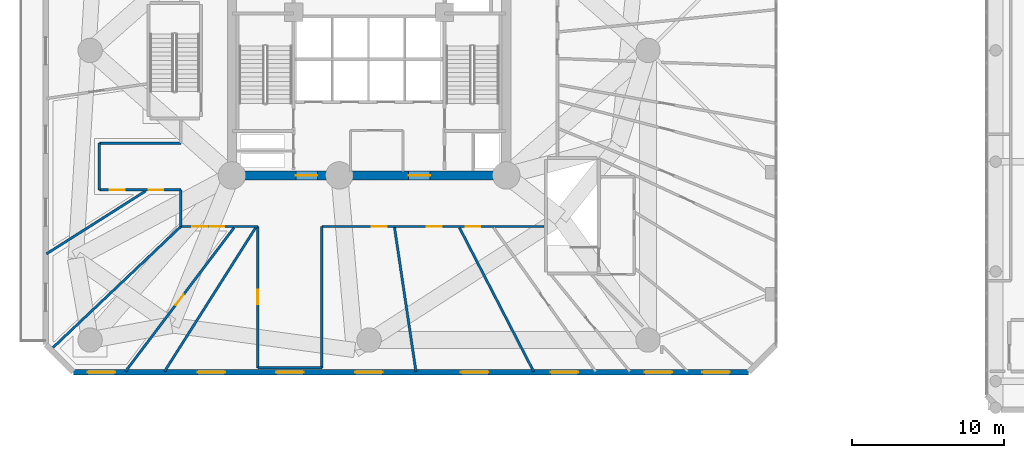
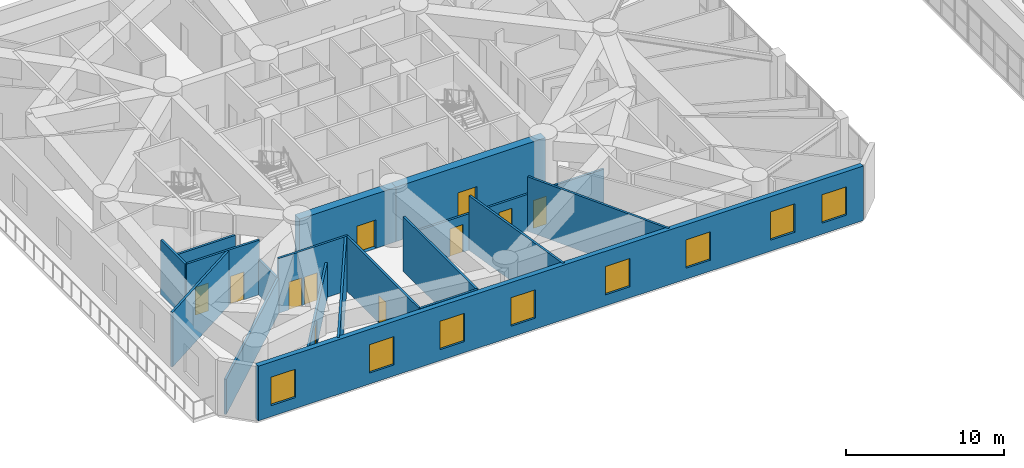
# One storey, part 13 of 22: 18 walls, 11 doors, 8 windows, 19 openings.
"""IFC4 building model written with IfcOpenShell, lengths in metres."""

from ifc_helpers import new_model, si_unit, direction, frame, frame_2d, origin, origin_with_axes, place, context, subcontext, project, spatial, rectangle, extrude, source, transform, mapped, material, layer, layer_set, type_object, element, fill, save


model = new_model("IFC4")

# Units and contexts
model_context = context("Model", 3, precision=1e-05, world=origin(), true_north=direction((0.0, 1.0)))
body_context = subcontext(model_context, "Body", "Model", "MODEL_VIEW")
ifc_project = project(units=[si_unit("LENGTHUNIT", "METRE"), si_unit("AREAUNIT", "SQUARE_METRE"), si_unit("VOLUMEUNIT", "CUBIC_METRE"), si_unit("PLANEANGLEUNIT", "RADIAN"), si_unit("MASSUNIT", "GRAM", prefix="KILO")], contexts=[model_context])

# Site, building, storey
site_placement = place(None, origin())
site = spatial("IfcSite", under=ifc_project, at=site_placement, CompositionType="ELEMENT")
building_placement = place(site_placement, origin())
building = spatial("IfcBuilding", under=site, at=building_placement, Name="Karkom Vertical University and Central Library", CompositionType="ELEMENT")
storey_placement = place(building_placement, frame((0.0, 0.0, 18.0)))
storey = spatial("IfcBuildingStorey", under=building, at=storey_placement, Name="L04", CompositionType="ELEMENT", Elevation=18.0)

# Wall, openings, windows
ifc_material_1 = material(Name="Brick masonry 360mm insulated cavity", Category="masonry")
ifc_layer_1 = layer(ifc_material_1, 0.360107421875)
ifc_layer_set_1 = layer_set([ifc_layer_1], Name="Brick masonry 360mm insulated cavity")
wall_type_1 = type_object("IfcWallType", Name="ENV-WL-BRK-360", PredefinedType="SOLIDWALL", material=ifc_layer_set_1)
wall_1_placement = place(storey_placement, frame((9.10009765625, 5.39990234375, 0.0), z_axis=(0.0, 0.0, 1.0), x_axis=(1.0, 0.0, 0.0)))
wall_1 = element("IfcWall", 1, at=wall_1_placement, inside=storey, type_object=wall_type_1, Name="Level 04 POD Terracotta Brick Facade Wall 01", PredefinedType="SOLIDWALL", context=body_context, shape_type="SweptSolid", body=[
    extrude(rectangle(XDim=44.2998046875, YDim=0.360107421875, at=frame_2d((22.14990234375, 0.0))), origin(), (0.0, 0.0, 1.0), 4.22509765625),
])
opening_1_placement = place(wall_1_placement, frame((0.934326171875, 0.0, 0.85009765625)))
opening_1 = element("IfcOpeningElement", 2, at=opening_1_placement, cuts=wall_1, Name="Opening WN-01", PredefinedType="OPENING", context=body_context, shape_type="SweptSolid", body=[
    extrude(rectangle(XDim=1.800048828125, YDim=2.199951171875, at=frame_2d((0.89990234375, 1.10009765625))), frame((0.0, 0.18994140625, 0.0), z_axis=(0.0, -1.0, 0.0), x_axis=(1.0, 0.0, 0.0)), (0.0, 0.0, 1.0), 0.380126953125),
])
opening_2_placement = place(wall_1_placement, frame((8.148193359375, 0.0, 0.85009765625)))
opening_2 = element("IfcOpeningElement", 3, at=opening_2_placement, cuts=wall_1, Name="Opening WN-01", PredefinedType="OPENING", context=body_context, shape_type="SweptSolid", body=[
    extrude(rectangle(XDim=1.800048828125, YDim=2.199951171875, at=frame_2d((0.89990234375, 1.10009765625))), frame((0.0, 0.18994140625, 0.0), z_axis=(0.0, -1.0, 0.0), x_axis=(1.0, 0.0, 0.0)), (0.0, 0.0, 1.0), 0.380126953125),
])
opening_3_placement = place(wall_1_placement, frame((13.300048828125, 0.0, 0.85009765625)))
opening_3 = element("IfcOpeningElement", 4, at=opening_3_placement, cuts=wall_1, Name="Opening WN-01", PredefinedType="OPENING", context=body_context, shape_type="SweptSolid", body=[
    extrude(rectangle(XDim=1.800048828125, YDim=2.199951171875, at=frame_2d((0.89990234375, 1.10009765625))), frame((0.0, 0.18994140625, 0.0), z_axis=(0.0, -1.0, 0.0), x_axis=(1.0, 0.0, 0.0)), (0.0, 0.0, 1.0), 0.380126953125),
])
opening_4_placement = place(wall_1_placement, frame((18.48583984375, 0.0, 0.85009765625)))
opening_4 = element("IfcOpeningElement", 5, at=opening_4_placement, cuts=wall_1, Name="Opening WN-01", PredefinedType="OPENING", context=body_context, shape_type="SweptSolid", body=[
    extrude(rectangle(XDim=1.800048828125, YDim=2.199951171875, at=frame_2d((0.89990234375, 1.10009765625))), frame((0.0, 0.18994140625, 0.0), z_axis=(0.0, -1.0, 0.0), x_axis=(1.0, 0.0, 0.0)), (0.0, 0.0, 1.0), 0.380126953125),
])
opening_5_placement = place(wall_1_placement, frame((25.426025390625, 0.0, 0.85009765625)))
opening_5 = element("IfcOpeningElement", 6, at=opening_5_placement, cuts=wall_1, Name="Opening WN-01", PredefinedType="OPENING", context=body_context, shape_type="SweptSolid", body=[
    extrude(rectangle(XDim=1.800048828125, YDim=2.199951171875, at=frame_2d((0.89990234375, 1.10009765625))), frame((0.0, 0.18994140625, 0.0), z_axis=(0.0, -1.0, 0.0), x_axis=(1.0, 0.0, 0.0)), (0.0, 0.0, 1.0), 0.380126953125),
])
opening_6_placement = place(wall_1_placement, frame((31.31103515625, 0.0, 0.85009765625)))
opening_6 = element("IfcOpeningElement", 7, at=opening_6_placement, cuts=wall_1, Name="Opening WN-01", PredefinedType="OPENING", context=body_context, shape_type="SweptSolid", body=[
    extrude(rectangle(XDim=1.800048828125, YDim=2.199951171875, at=frame_2d((0.89990234375, 1.10009765625))), frame((0.0, 0.18994140625, 0.0), z_axis=(0.0, -1.0, 0.0), x_axis=(1.0, 0.0, 0.0)), (0.0, 0.0, 1.0), 0.380126953125),
])
opening_7_placement = place(wall_1_placement, frame((37.480712890625, 0.0, 0.85009765625)))
opening_7 = element("IfcOpeningElement", 8, at=opening_7_placement, cuts=wall_1, Name="Opening WN-01", PredefinedType="OPENING", context=body_context, shape_type="SweptSolid", body=[
    extrude(rectangle(XDim=1.800048828125, YDim=2.199951171875, at=frame_2d((0.89990234375, 1.10009765625))), frame((0.0, 0.18994140625, 0.0), z_axis=(0.0, -1.0, 0.0), x_axis=(1.0, 0.0, 0.0)), (0.0, 0.0, 1.0), 0.380126953125),
])
opening_8_placement = place(wall_1_placement, frame((41.271484375, 0.0, 0.85009765625)))
opening_8 = element("IfcOpeningElement", 9, at=opening_8_placement, cuts=wall_1, Name="Opening WN-01", PredefinedType="OPENING", context=body_context, shape_type="SweptSolid", body=[
    extrude(rectangle(XDim=1.800048828125, YDim=2.199951171875, at=frame_2d((0.89990234375, 1.10009765625))), frame((0.0, 0.18994140625, 0.0), z_axis=(0.0, -1.0, 0.0), x_axis=(1.0, 0.0, 0.0)), (0.0, 0.0, 1.0), 0.380126953125),
])
ifc_material_2 = material(Name="Aluminium thermal-break frame with solar-control IGU", Category="aluminium")
window_type = type_object("IfcWindowType", Name="ENV-WIN-WN-01", PartitioningType="SINGLE_PANEL", PredefinedType="WINDOW", material=ifc_material_2)
shared_shape_1 = source(origin_with_axes(), body_context, "Body", "SweptSolid", [
    extrude(rectangle(XDim=1.800048828125, YDim=2.199951171875, at=frame_2d((0.89990234375, 1.10009765625))), frame((0.0, 0.030029296875, 0.0), z_axis=(0.0, -1.0, 0.0), x_axis=(1.0, 0.0, 0.0)), (0.0, 0.0, 1.0), 0.06005859375),
])
window_1_placement = place(opening_1_placement, origin())
window_1 = element("IfcWindow", 10, at=window_1_placement, inside=storey, type_object=window_type, Name="Level 04 POD Punched Window 01", OverallHeight=2.199951171875, OverallWidth=1.800048828125, PartitioningType="SINGLE_PANEL", PredefinedType="WINDOW", context=body_context, shape_type="MappedRepresentation", body=[
    mapped(shared_shape_1, transform((0.0, 0.0, 0.0), scale=1.0)),
])
fill(opening_1, window_1)
window_2_placement = place(opening_2_placement, origin())
window_2 = element("IfcWindow", 11, at=window_2_placement, inside=storey, type_object=window_type, Name="Level 04 POD Punched Window 02", OverallHeight=2.199951171875, OverallWidth=1.800048828125, PartitioningType="SINGLE_PANEL", PredefinedType="WINDOW", context=body_context, shape_type="MappedRepresentation", body=[
    mapped(shared_shape_1, transform((0.0, 0.0, 0.0), scale=1.0)),
])
fill(opening_2, window_2)
window_3_placement = place(opening_3_placement, origin())
window_3 = element("IfcWindow", 12, at=window_3_placement, inside=storey, type_object=window_type, Name="Level 04 POD Punched Window 03", OverallHeight=2.199951171875, OverallWidth=1.800048828125, PartitioningType="SINGLE_PANEL", PredefinedType="WINDOW", context=body_context, shape_type="MappedRepresentation", body=[
    mapped(shared_shape_1, transform((0.0, 0.0, 0.0), scale=1.0)),
])
fill(opening_3, window_3)
window_4_placement = place(opening_4_placement, origin())
window_4 = element("IfcWindow", 13, at=window_4_placement, inside=storey, type_object=window_type, Name="Level 04 POD Punched Window 04", OverallHeight=2.199951171875, OverallWidth=1.800048828125, PartitioningType="SINGLE_PANEL", PredefinedType="WINDOW", context=body_context, shape_type="MappedRepresentation", body=[
    mapped(shared_shape_1, transform((0.0, 0.0, 0.0), scale=1.0)),
])
fill(opening_4, window_4)
window_5_placement = place(opening_5_placement, origin())
window_5 = element("IfcWindow", 14, at=window_5_placement, inside=storey, type_object=window_type, Name="Level 04 POD Punched Window 05", OverallHeight=2.199951171875, OverallWidth=1.800048828125, PartitioningType="SINGLE_PANEL", PredefinedType="WINDOW", context=body_context, shape_type="MappedRepresentation", body=[
    mapped(shared_shape_1, transform((0.0, 0.0, 0.0), scale=1.0)),
])
fill(opening_5, window_5)
window_6_placement = place(opening_6_placement, origin())
window_6 = element("IfcWindow", 15, at=window_6_placement, inside=storey, type_object=window_type, Name="Level 04 POD Punched Window 06", OverallHeight=2.199951171875, OverallWidth=1.800048828125, PartitioningType="SINGLE_PANEL", PredefinedType="WINDOW", context=body_context, shape_type="MappedRepresentation", body=[
    mapped(shared_shape_1, transform((0.0, 0.0, 0.0), scale=1.0)),
])
fill(opening_6, window_6)
window_7_placement = place(opening_7_placement, origin())
window_7 = element("IfcWindow", 16, at=window_7_placement, inside=storey, type_object=window_type, Name="Level 04 POD Punched Window 07", OverallHeight=2.199951171875, OverallWidth=1.800048828125, PartitioningType="SINGLE_PANEL", PredefinedType="WINDOW", context=body_context, shape_type="MappedRepresentation", body=[
    mapped(shared_shape_1, transform((0.0, 0.0, 0.0), scale=1.0)),
])
fill(opening_7, window_7)
window_8_placement = place(opening_8_placement, origin())
window_8 = element("IfcWindow", 17, at=window_8_placement, inside=storey, type_object=window_type, Name="Level 04 POD Punched Window 08", OverallHeight=2.199951171875, OverallWidth=1.800048828125, PartitioningType="SINGLE_PANEL", PredefinedType="WINDOW", context=body_context, shape_type="MappedRepresentation", body=[
    mapped(shared_shape_1, transform((0.0, 0.0, 0.0), scale=1.0)),
])
fill(opening_8, window_8)

# Wall, openings, doors
ifc_material_3 = material(Name="Insulated metal-stud drywall 160mm", Category="gypsum")
ifc_layer_2 = layer(ifc_material_3, 0.159912109375)
ifc_layer_set_2 = layer_set([ifc_layer_2], Name="Insulated metal-stud drywall 160mm")
wall_type_2 = type_object("IfcWallType", Name="INT-WL-COR-160", PredefinedType="PARTITIONING", material=ifc_layer_set_2)
wall_2_placement = place(storey_placement, frame((39.988037109375, 14.949951171875, 0.0), z_axis=(0.0, 0.0, 1.0), x_axis=(-1.0, 0.0, 0.0)))
wall_2 = element("IfcWall", 18, at=wall_2_placement, inside=storey, type_object=wall_type_2, Name="Level 04 Interior Partition Wall Level 04-PDCW-CW-010", PredefinedType="PARTITIONING", context=body_context, shape_type="SweptSolid", body=[
    extrude(rectangle(XDim=14.588134765625, YDim=0.159912109375, at=frame_2d((7.2939453125, 0.0))), origin(), (0.0, 0.0, 1.0), 2.824951171875),
])
opening_9_placement = place(wall_2_placement, frame((10.340087890625, 0.0, 0.0)))
opening_9 = element("IfcOpeningElement", 19, at=opening_9_placement, cuts=wall_2, Name="Opening FD-RM2", PredefinedType="OPENING", context=body_context, shape_type="SweptSolid", body=[
    extrude(rectangle(XDim=0.9599609375, YDim=2.14990234375, at=frame_2d((0.47998046875, 1.074951171875))), frame((0.0, 0.08984375, 0.0), z_axis=(0.0, -1.0, 0.0), x_axis=(1.0, 0.0, 0.0)), (0.0, 0.0, 1.0), 0.179931640625),
])
opening_10_placement = place(wall_2_placement, frame((6.735107421875, 0.0, 0.0)))
opening_10 = element("IfcOpeningElement", 20, at=opening_10_placement, cuts=wall_2, Name="Opening FD-RM2", PredefinedType="OPENING", context=body_context, shape_type="SweptSolid", body=[
    extrude(rectangle(XDim=0.9599609375, YDim=2.14990234375, at=frame_2d((0.47998046875, 1.074951171875))), frame((0.0, 0.08984375, 0.0), z_axis=(0.0, -1.0, 0.0), x_axis=(1.0, 0.0, 0.0)), (0.0, 0.0, 1.0), 0.179931640625),
])
opening_11_placement = place(wall_2_placement, frame((4.181884765625, 0.0, 0.0)))
opening_11 = element("IfcOpeningElement", 21, at=opening_11_placement, cuts=wall_2, Name="Opening FD-RM2", PredefinedType="OPENING", context=body_context, shape_type="SweptSolid", body=[
    extrude(rectangle(XDim=0.9599609375, YDim=2.14990234375, at=frame_2d((0.47998046875, 1.074951171875))), frame((0.0, 0.08984375, 0.0), z_axis=(0.0, -1.0, 0.0), x_axis=(1.0, 0.0, 0.0)), (0.0, 0.0, 1.0), 0.179931640625),
])
ifc_material_4 = material(Name="Fire-rated oak veneer door", Category="wood")
door_type_1 = type_object("IfcDoorType", Name="INT-DR-FRM2", OperationType="NOTDEFINED", PredefinedType="DOOR", material=ifc_material_4)
shared_shape_2 = source(origin_with_axes(), body_context, "Body", "SweptSolid", [
    extrude(rectangle(XDim=0.9599609375, YDim=2.14990234375, at=frame_2d((0.47998046875, 1.074951171875))), frame((0.0, 0.02490234375, 0.0), z_axis=(0.0, -1.0, 0.0), x_axis=(1.0, 0.0, 0.0)), (0.0, 0.0, 1.0), 0.050048828125),
])
door_1_placement = place(opening_9_placement, origin())
door_1 = element("IfcDoor", 22, at=door_1_placement, inside=storey, type_object=door_type_1, Name="Level 04 Room Entry Door 805", OperationType="SINGLE_SWING_LEFT", OverallHeight=2.14990234375, OverallWidth=0.9599609375, PredefinedType="DOOR", context=body_context, shape_type="MappedRepresentation", body=[
    mapped(shared_shape_2, transform((0.0, 0.0, 0.0), scale=1.0)),
])
fill(opening_9, door_1)
door_2_placement = place(opening_10_placement, origin())
door_2 = element("IfcDoor", 23, at=door_2_placement, inside=storey, type_object=door_type_1, Name="Level 04 Room Entry Door 806", OperationType="SINGLE_SWING_RIGHT", OverallHeight=2.14990234375, OverallWidth=0.9599609375, PredefinedType="DOOR", context=body_context, shape_type="MappedRepresentation", body=[
    mapped(shared_shape_2, transform((0.0, 0.0, 0.0), scale=1.0)),
])
fill(opening_10, door_2)
door_3_placement = place(opening_11_placement, origin())
door_3 = element("IfcDoor", 24, at=door_3_placement, inside=storey, type_object=door_type_1, Name="Level 04 Room Entry Door 807", OperationType="SINGLE_SWING_LEFT", OverallHeight=2.14990234375, OverallWidth=0.9599609375, PredefinedType="DOOR", context=body_context, shape_type="MappedRepresentation", body=[
    mapped(shared_shape_2, transform((0.0, 0.0, 0.0), scale=1.0)),
])
fill(opening_11, door_3)

# Wall, opening, door
wall_3_placement = place(storey_placement, frame((19.6396484375, 14.867919921875, 0.0), z_axis=(0.0, 0.0, 1.0), x_axis=(-0.602693961027, -0.797972423923, 0.0)))
wall_3 = element("IfcWall", 25, at=wall_3_placement, inside=storey, type_object=wall_type_2, Name="Level 04 Interior Partition Wall Level 04-PODW-03-04-1", PredefinedType="PARTITIONING", context=body_context, shape_type="SweptSolid", body=[
    extrude(rectangle(XDim=11.817138671875, YDim=0.159912109375, at=frame_2d((5.90869140625, 0.0))), origin(), (0.0, 0.0, 1.0), 2.72509765625),
])
opening_12_placement = place(wall_3_placement, frame((5.478515625, 0.0, 0.0)))
opening_12 = element("IfcOpeningElement", 26, at=opening_12_placement, cuts=wall_3, Name="Opening FD-BTH2", PredefinedType="OPENING", context=body_context, shape_type="SweptSolid", body=[
    extrude(rectangle(XDim=0.860107421875, YDim=2.0400390625, at=frame_2d((0.43017578125, 1.02001953125))), frame((0.0, 0.08984375, 0.0), z_axis=(0.0, -1.0, 0.0), x_axis=(1.0, 0.0, 0.0)), (0.0, 0.0, 1.0), 0.179931640625),
])
ifc_material_5 = material(Name="Fire-rated moisture-resistant oak door", Category="wood")
door_type_2 = type_object("IfcDoorType", Name="INT-DR-FBTH2", OperationType="NOTDEFINED", PredefinedType="DOOR", material=ifc_material_5)
shared_shape_3 = source(origin_with_axes(), body_context, "Body", "SweptSolid", [
    extrude(rectangle(XDim=0.860107421875, YDim=2.0400390625, at=frame_2d((0.43017578125, 1.02001953125))), frame((0.0, 0.02490234375, 0.0), z_axis=(0.0, -1.0, 0.0), x_axis=(1.0, 0.0, 0.0)), (0.0, 0.0, 1.0), 0.050048828125),
])
door_4_placement = place(opening_12_placement, origin())
door_4 = element("IfcDoor", 27, at=door_4_placement, inside=storey, type_object=door_type_2, Name="Level 04 Terrace Dining Lounge Entry Door", OperationType="SINGLE_SWING_RIGHT", OverallHeight=2.0400390625, OverallWidth=0.860107421875, PredefinedType="DOOR", context=body_context, shape_type="MappedRepresentation", body=[
    mapped(shared_shape_3, transform((0.0, 0.0, 0.0), scale=1.0)),
])
fill(opening_12, door_4)

# Walls
wall_4_placement = place(storey_placement, frame((16.17626953125, 14.970703125, 0.0), z_axis=(0.0, 0.0, 1.0), x_axis=(-0.726215784898, -0.687466823755, 0.0)))
element("IfcWall", 28, at=wall_4_placement, inside=storey, type_object=wall_type_2, Name="Level 04 Interior Partition Wall Level 04-PODW-02-03-1", PredefinedType="PARTITIONING", context=body_context, shape_type="SweptSolid", body=[
    extrude(rectangle(XDim=11.75048828125, YDim=0.159912109375, at=frame_2d((5.875244140625, 0.0))), origin(), (0.0, 0.0, 1.0), 2.72509765625),
])
wall_5_placement = place(storey_placement, frame((21.056396484375, 14.867919921875, 0.0), z_axis=(0.0, 0.0, 1.0), x_axis=(-0.535331338358, -0.844642147996, 0.0)))
element("IfcWall", 29, at=wall_5_placement, inside=storey, type_object=wall_type_2, Name="Level 04 Interior Partition Wall Level 04-PODW-04-05-1", PredefinedType="PARTITIONING", context=body_context, shape_type="SweptSolid", body=[
    extrude(rectangle(XDim=11.16796875, YDim=0.159912109375, at=frame_2d((5.583984375, 0.0))), origin(), (0.0, 0.0, 1.0), 4.22509765625),
])
wall_6_placement = place(storey_placement, frame((34.4306640625, 14.867919921875, 0.0), z_axis=(0.0, 0.0, 1.0), x_axis=(0.458318369651, -0.888788091752, 0.0)))
element("IfcWall", 30, at=wall_6_placement, inside=storey, type_object=wall_type_2, Name="Level 04 Interior Partition Wall Level 04-PODW-07-08-1", PredefinedType="PARTITIONING", context=body_context, shape_type="SweptSolid", body=[
    extrude(rectangle(XDim=10.616455078125, YDim=0.159912109375, at=frame_2d((5.30810546875, 0.0))), origin(), (0.0, 0.0, 1.0), 4.22509765625),
])
wall_7_placement = place(storey_placement, frame((30.1689453125, 14.8828125, 0.0), z_axis=(0.0, 0.0, 1.0), x_axis=(0.147252839934, -0.989098883394, 0.0)))
element("IfcWall", 31, at=wall_7_placement, inside=storey, type_object=wall_type_2, Name="Level 04 Interior Partition Wall Level 04-PODW-06-07-1", PredefinedType="PARTITIONING", context=body_context, shape_type="SweptSolid", body=[
    extrude(rectangle(XDim=9.5615234375, YDim=0.159912109375, at=frame_2d((4.78076171875, 0.0))), origin(), (0.0, 0.0, 1.0), 4.22509765625),
])
wall_8_placement = place(storey_placement, frame((25.39990234375, 14.949951171875, 0.0), z_axis=(0.0, 0.0, 1.0), x_axis=(0.0, -1.0, 0.0)))
element("IfcWall", 32, at=wall_8_placement, inside=storey, type_object=wall_type_2, Name="Level 04 Interior Partition Wall Level 04-PDCW-CW-011", PredefinedType="PARTITIONING", context=body_context, shape_type="SweptSolid", body=[
    extrude(rectangle(XDim=9.27001953125, YDim=0.159912109375, at=frame_2d((4.635009765625, 0.0))), origin(), (0.0, 0.0, 1.0), 4.22509765625),
])

# Wall, opening, door
wall_9_placement = place(storey_placement, frame((21.199951171875, 5.679931640625, 0.0), z_axis=(0.0, 0.0, 1.0), x_axis=(0.0, 1.0, 0.0)))
wall_9 = element("IfcWall", 33, at=wall_9_placement, inside=storey, type_object=wall_type_2, Name="Level 04 Interior Partition Wall Level 04-PDCW-CW-013", PredefinedType="PARTITIONING", context=body_context, shape_type="SweptSolid", body=[
    extrude(rectangle(XDim=9.27001953125, YDim=0.159912109375, at=frame_2d((4.635009765625, 0.0))), origin(), (0.0, 0.0, 1.0), 4.22509765625),
])
opening_13_placement = place(wall_9_placement, frame((4.159912109375, 0.0, 0.0)))
opening_13 = element("IfcOpeningElement", 34, at=opening_13_placement, cuts=wall_9, Name="Opening FD-RM2", PredefinedType="OPENING", context=body_context, shape_type="SweptSolid", body=[
    extrude(rectangle(XDim=0.9599609375, YDim=2.14990234375, at=frame_2d((0.47998046875, 1.074951171875))), frame((0.0, 0.08984375, 0.0), z_axis=(0.0, -1.0, 0.0), x_axis=(1.0, 0.0, 0.0)), (0.0, 0.0, 1.0), 0.179931640625),
])
door_5_placement = place(opening_13_placement, origin())
door_5 = element("IfcDoor", 35, at=door_5_placement, inside=storey, type_object=door_type_1, Name="Level 04 Room Entry Door 804", OperationType="SINGLE_SWING_RIGHT", OverallHeight=2.14990234375, OverallWidth=0.9599609375, PredefinedType="DOOR", context=body_context, shape_type="MappedRepresentation", body=[
    mapped(shared_shape_2, transform((0.0, 0.0, 0.0), scale=1.0)),
])
fill(opening_13, door_5)

# Wall
wall_10_placement = place(storey_placement, frame((13.826171875, 17.26806640625, 0.0), z_axis=(0.0, 0.0, 1.0), x_axis=(-0.844566741784, -0.535450295239, 0.0)))
element("IfcWall", 36, at=wall_10_placement, inside=storey, type_object=wall_type_2, Name="Level 04 Interior Partition Wall Level 04-PODW-01-02-1", PredefinedType="PARTITIONING", context=body_context, shape_type="SweptSolid", body=[
    extrude(rectangle(XDim=7.685546875, YDim=0.159912109375, at=frame_2d((3.8427734375, 0.0))), origin(), (0.0, 0.0, 1.0), 4.22509765625),
])

# Wall, openings, doors
wall_11_placement = place(storey_placement, frame((16.14990234375, 17.35009765625, 0.0), z_axis=(0.0, 0.0, 1.0), x_axis=(-1.0, 0.0, 0.0)))
wall_11 = element("IfcWall", 37, at=wall_11_placement, inside=storey, type_object=wall_type_2, Name="Level 04 Interior Partition Wall Level 04-PDCW-CW-016", PredefinedType="PARTITIONING", context=body_context, shape_type="SweptSolid", body=[
    extrude(rectangle(XDim=5.349853515625, YDim=0.159912109375, at=frame_2d((2.6748046875, 0.0))), origin(), (0.0, 0.0, 1.0), 4.22509765625),
])
opening_14_placement = place(wall_11_placement, frame((3.6923828125, 0.0, 0.0)))
opening_14 = element("IfcOpeningElement", 38, at=opening_14_placement, cuts=wall_11, Name="Opening FD-RM2", PredefinedType="OPENING", context=body_context, shape_type="SweptSolid", body=[
    extrude(rectangle(XDim=0.9599609375, YDim=2.14990234375, at=frame_2d((0.47998046875, 1.074951171875))), frame((0.0, 0.08984375, 0.0), z_axis=(0.0, -1.0, 0.0), x_axis=(1.0, 0.0, 0.0)), (0.0, 0.0, 1.0), 0.179931640625),
])
opening_15_placement = place(wall_11_placement, frame((1.157470703125, 0.0, 0.0)))
opening_15 = element("IfcOpeningElement", 39, at=opening_15_placement, cuts=wall_11, Name="Opening FD-RM2", PredefinedType="OPENING", context=body_context, shape_type="SweptSolid", body=[
    extrude(rectangle(XDim=0.9599609375, YDim=2.14990234375, at=frame_2d((0.47998046875, 1.074951171875))), frame((0.0, 0.08984375, 0.0), z_axis=(0.0, -1.0, 0.0), x_axis=(1.0, 0.0, 0.0)), (0.0, 0.0, 1.0), 0.179931640625),
])
door_6_placement = place(opening_14_placement, origin())
door_6 = element("IfcDoor", 40, at=door_6_placement, inside=storey, type_object=door_type_1, Name="Level 04 Room Entry Door 800", OperationType="SINGLE_SWING_RIGHT", OverallHeight=2.14990234375, OverallWidth=0.9599609375, PredefinedType="DOOR", context=body_context, shape_type="MappedRepresentation", body=[
    mapped(shared_shape_2, transform((0.0, 0.0, 0.0), scale=1.0)),
])
fill(opening_14, door_6)
door_7_placement = place(opening_15_placement, origin())
door_7 = element("IfcDoor", 41, at=door_7_placement, inside=storey, type_object=door_type_1, Name="Level 04 Room Entry Door 801", OperationType="SINGLE_SWING_LEFT", OverallHeight=2.14990234375, OverallWidth=0.9599609375, PredefinedType="DOOR", context=body_context, shape_type="MappedRepresentation", body=[
    mapped(shared_shape_2, transform((0.0, 0.0, 0.0), scale=1.0)),
])
fill(opening_15, door_7)

# Wall
wall_12_placement = place(storey_placement, frame((10.800048828125, 20.419921875, 0.0), z_axis=(0.0, 0.0, 1.0), x_axis=(1.0, 0.0, 0.0)))
element("IfcWall", 42, at=wall_12_placement, inside=storey, type_object=wall_type_2, Name="Level 04 Interior Partition Wall Level 04-PDCW-CW-018", PredefinedType="PARTITIONING", context=body_context, shape_type="SweptSolid", body=[
    extrude(rectangle(XDim=5.349853515625, YDim=0.159912109375, at=frame_2d((2.6748046875, 0.0))), origin(), (0.0, 0.0, 1.0), 2.72509765625),
])

# Wall, openings, doors
wall_13_placement = place(storey_placement, frame((21.199951171875, 14.949951171875, 0.0), z_axis=(0.0, 0.0, 1.0), x_axis=(-1.0, 0.0, 0.0)))
wall_13 = element("IfcWall", 43, at=wall_13_placement, inside=storey, type_object=wall_type_2, Name="Level 04 Interior Partition Wall Level 04-PDCW-CW-014", PredefinedType="PARTITIONING", context=body_context, shape_type="SweptSolid", body=[
    extrude(rectangle(XDim=5.050048828125, YDim=0.159912109375, at=frame_2d((2.52490234375, 0.0))), origin(), (0.0, 0.0, 1.0), 4.22509765625),
])
opening_16_placement = place(wall_13_placement, frame((2.18994140625, 0.0, 0.0)))
opening_16 = element("IfcOpeningElement", 44, at=opening_16_placement, cuts=wall_13, Name="Opening FD-RM2", PredefinedType="OPENING", context=body_context, shape_type="SweptSolid", body=[
    extrude(rectangle(XDim=0.9599609375, YDim=2.14990234375, at=frame_2d((0.47998046875, 1.074951171875))), frame((0.0, 0.08984375, 0.0), z_axis=(0.0, -1.0, 0.0), x_axis=(1.0, 0.0, 0.0)), (0.0, 0.0, 1.0), 0.179931640625),
])
opening_17_placement = place(wall_13_placement, frame((3.327392578125, 0.0, 0.0)))
opening_17 = element("IfcOpeningElement", 45, at=opening_17_placement, cuts=wall_13, Name="Opening FD-RM2", PredefinedType="OPENING", context=body_context, shape_type="SweptSolid", body=[
    extrude(rectangle(XDim=0.9599609375, YDim=2.14990234375, at=frame_2d((0.47998046875, 1.074951171875))), frame((0.0, 0.08984375, 0.0), z_axis=(0.0, -1.0, 0.0), x_axis=(1.0, 0.0, 0.0)), (0.0, 0.0, 1.0), 0.179931640625),
])
door_8_placement = place(opening_16_placement, origin())
door_8 = element("IfcDoor", 46, at=door_8_placement, inside=storey, type_object=door_type_1, Name="Level 04 Room Entry Door 802", OperationType="SINGLE_SWING_RIGHT", OverallHeight=2.14990234375, OverallWidth=0.9599609375, PredefinedType="DOOR", context=body_context, shape_type="MappedRepresentation", body=[
    mapped(shared_shape_2, transform((0.0, 0.0, 0.0), scale=1.0)),
])
fill(opening_16, door_8)
door_9_placement = place(opening_17_placement, origin())
door_9 = element("IfcDoor", 47, at=door_9_placement, inside=storey, type_object=door_type_1, Name="Level 04 Room Entry Door 803", OperationType="SINGLE_SWING_LEFT", OverallHeight=2.14990234375, OverallWidth=0.9599609375, PredefinedType="DOOR", context=body_context, shape_type="MappedRepresentation", body=[
    mapped(shared_shape_2, transform((0.0, 0.0, 0.0), scale=1.0)),
])
fill(opening_17, door_9)

# Walls
wall_14_placement = place(storey_placement, frame((25.39990234375, 5.679931640625, 0.0), z_axis=(0.0, 0.0, 1.0), x_axis=(-1.0, 0.0, 0.0)))
element("IfcWall", 48, at=wall_14_placement, inside=storey, type_object=wall_type_2, Name="Level 04 Interior Partition Wall Level 04-PDCW-CW-012", PredefinedType="PARTITIONING", context=body_context, shape_type="SweptSolid", body=[
    extrude(rectangle(XDim=4.199951171875, YDim=0.159912109375, at=frame_2d((2.10009765625, 0.0))), origin(), (0.0, 0.0, 1.0), 4.22509765625),
])
wall_15_placement = place(storey_placement, frame((10.800048828125, 17.35009765625, 0.0), z_axis=(0.0, 0.0, 1.0), x_axis=(0.0, 1.0, 0.0)))
element("IfcWall", 49, at=wall_15_placement, inside=storey, type_object=wall_type_2, Name="Level 04 Interior Partition Wall Level 04-PDCW-CW-017", PredefinedType="PARTITIONING", context=body_context, shape_type="SweptSolid", body=[
    extrude(rectangle(XDim=3.06982421875, YDim=0.159912109375, at=frame_2d((1.534912109375, 0.0))), origin(), (0.0, 0.0, 1.0), 4.22509765625),
])
wall_16_placement = place(storey_placement, frame((16.14990234375, 14.949951171875, 0.0), z_axis=(0.0, 0.0, 1.0), x_axis=(0.0, 1.0, 0.0)))
element("IfcWall", 50, at=wall_16_placement, inside=storey, type_object=wall_type_2, Name="Level 04 Interior Partition Wall Level 04-PDCW-CW-015", PredefinedType="PARTITIONING", context=body_context, shape_type="SweptSolid", body=[
    extrude(rectangle(XDim=2.400146484375, YDim=0.159912109375, at=frame_2d((1.2001953125, 0.0))), origin(), (0.0, 0.0, 1.0), 2.72509765625),
])

# Wall, opening, door
ifc_material_6 = material(Name="Concrete C50/60", Category="concrete")
ifc_layer_3 = layer(ifc_material_6, 0.60009765625)
ifc_layer_set_3 = layer_set([ifc_layer_3], Name="Concrete C50/60")
wall_type_3 = type_object("IfcWallType", Name="STR-WL-CW-600", PredefinedType="SHEAR", material=ifc_layer_set_3)
wall_17_placement = place(storey_placement, frame((19.5, 18.300048828125, 0.0), z_axis=(0.0, 0.0, 1.0), x_axis=(1.0, 0.0, 0.0)))
wall_17 = element("IfcWall", 51, at=wall_17_placement, inside=storey, type_object=wall_type_3, Name="Level 04 Central Core Shear Wall SW1", PredefinedType="SHEAR", context=body_context, shape_type="SweptSolid", body=[
    extrude(rectangle(XDim=7.050048828125, YDim=0.60009765625, at=frame_2d((3.52490234375, 0.0))), origin(), (0.0, 0.0, 1.0), 4.22509765625),
])
opening_18_placement = place(wall_17_placement, frame((4.199951171875, 0.0, 0.0)))
opening_18 = element("IfcOpeningElement", 52, at=opening_18_placement, cuts=wall_17, Name="Opening FD-CLB", PredefinedType="OPENING", context=body_context, shape_type="SweptSolid", body=[
    extrude(rectangle(XDim=1.39990234375, YDim=2.199951171875, at=frame_2d((0.699951171875, 1.10009765625))), frame((0.0, 0.31005859375, 0.0), z_axis=(0.0, -1.0, 0.0), x_axis=(1.0, 0.0, 0.0)), (0.0, 0.0, 1.0), 0.6201171875),
])
ifc_material_7 = material(Name="Painted steel fire door", Category="steel")
door_type_3 = type_object("IfcDoorType", Name="INT-DR-CLB", OperationType="DOUBLE_DOOR_SINGLE_SWING", PredefinedType="DOOR", material=ifc_material_7)
shared_shape_4 = source(origin_with_axes(), body_context, "Body", "SweptSolid", [
    extrude(rectangle(XDim=1.39990234375, YDim=2.199951171875, at=frame_2d((0.699951171875, 1.10009765625))), frame((0.0, 0.02490234375, 0.0), z_axis=(0.0, -1.0, 0.0), x_axis=(1.0, 0.0, 0.0)), (0.0, 0.0, 1.0), 0.050048828125),
])
door_10_placement = place(opening_18_placement, origin())
door_10 = element("IfcDoor", 53, at=door_10_placement, inside=storey, type_object=door_type_3, Name="Level 04 South Core Lobby West Exit Door", OperationType="DOUBLE_DOOR_SINGLE_SWING", OverallHeight=2.199951171875, OverallWidth=1.39990234375, PredefinedType="DOOR", context=body_context, shape_type="MappedRepresentation", body=[
    mapped(shared_shape_4, transform((0.0, 0.0, 0.0), scale=1.0)),
])
fill(opening_18, door_10)

wall_18_placement = place(storey_placement, frame((26.550048828125, 18.300048828125, 0.0), z_axis=(0.0, 0.0, 1.0), x_axis=(1.0, 0.0, 0.0)))
wall_18 = element("IfcWall", 54, at=wall_18_placement, inside=storey, type_object=wall_type_3, Name="Level 04 Central Core Shear Wall SW2", PredefinedType="SHEAR", context=body_context, shape_type="SweptSolid", body=[
    extrude(rectangle(XDim=10.949951171875, YDim=0.60009765625, at=frame_2d((5.47509765625, 0.0))), origin(), (0.0, 0.0, 1.0), 4.22509765625),
])
opening_19_placement = place(wall_18_placement, frame((4.550048828125, 0.0, 0.0)))
opening_19 = element("IfcOpeningElement", 55, at=opening_19_placement, cuts=wall_18, Name="Opening FD-CLB", PredefinedType="OPENING", context=body_context, shape_type="SweptSolid", body=[
    extrude(rectangle(XDim=1.39990234375, YDim=2.199951171875, at=frame_2d((0.699951171875, 1.10009765625))), frame((0.0, 0.31005859375, 0.0), z_axis=(0.0, -1.0, 0.0), x_axis=(1.0, 0.0, 0.0)), (0.0, 0.0, 1.0), 0.6201171875),
])
door_11_placement = place(opening_19_placement, origin())
door_11 = element("IfcDoor", 56, at=door_11_placement, inside=storey, type_object=door_type_3, Name="Level 04 South Core Lobby East Exit Door", OperationType="DOUBLE_DOOR_SINGLE_SWING", OverallHeight=2.199951171875, OverallWidth=1.39990234375, PredefinedType="DOOR", context=body_context, shape_type="MappedRepresentation", body=[
    mapped(shared_shape_4, transform((0.0, 0.0, 0.0), scale=1.0)),
])
fill(opening_19, door_11)

save(model, "model.ifc")
